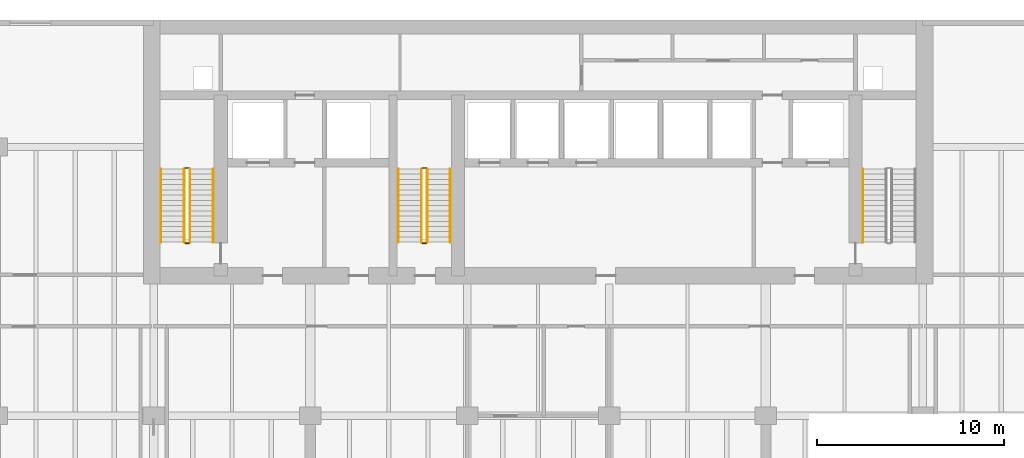
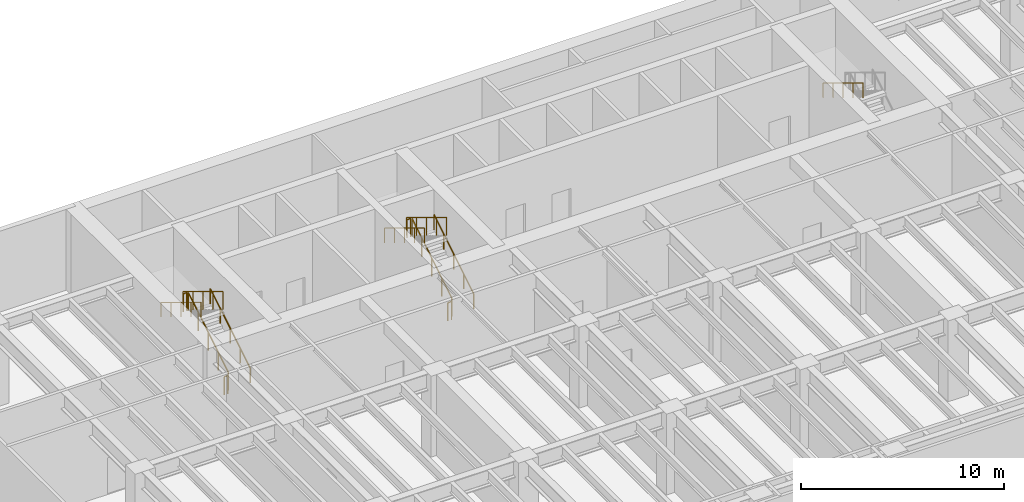
# One storey, part 19 of 21: 13 railings.
"""IFC4 building model written with IfcOpenShell, lengths in metres."""

from ifc_helpers import new_model, si_unit, direction, frame, origin, origin_2d, place, context, subcontext, project, spatial, circle, extrude, material, type_object, element, save


model = new_model("IFC4")

# Units and contexts
model_context = context("Model", 3, precision=1e-05, world=origin(), true_north=direction((0.0, 1.0)))
body_context = subcontext(model_context, "Body", "Model", "MODEL_VIEW")
ifc_project = project(units=[si_unit("LENGTHUNIT", "METRE"), si_unit("AREAUNIT", "SQUARE_METRE"), si_unit("VOLUMEUNIT", "CUBIC_METRE"), si_unit("PLANEANGLEUNIT", "RADIAN"), si_unit("MASSUNIT", "GRAM", prefix="KILO")], contexts=[model_context])

# Site, building, storey
site_placement = place(None, origin())
site = spatial("IfcSite", under=ifc_project, at=site_placement, CompositionType="ELEMENT")
building_placement = place(site_placement, origin())
building = spatial("IfcBuilding", under=site, at=building_placement, Name="Caelmar Bay Residences", CompositionType="ELEMENT")
storey_placement = place(building_placement, frame((0.0, 0.0, 79.5)))
storey = spatial("IfcBuildingStorey", under=building, at=storey_placement, Name="L21", CompositionType="ELEMENT", Elevation=79.5)

# Railings
ifc_material_1 = material(Name="Painted galvanized steel stair guard 1100 mm", Category="steel")
railing_type_1 = type_object("IfcRailingType", Name="RL-GRD-1100", PredefinedType="GUARDRAIL", material=ifc_material_1)
railing_1_placement = place(storey_placement, frame((20.25, 38.699951171875, 0.169921875)))
element("IfcRailing", 1, at=railing_1_placement, inside=storey, type_object=railing_type_1, Name="L21 ST1 stair guard 1", PredefinedType="GUARDRAIL", context=body_context, shape_type="SweptSolid", body=[
    extrude(circle(Radius=0.02392578125, at=origin_2d()), frame((0.0, 0.0, 1.076171875), z_axis=(0.0, 0.854784984964, 0.518982301701), x_axis=(-1.0, 0.0, 0.0)), (0.0, 0.0, 1.0), 4.586181640625),
    extrude(circle(Radius=0.02099609375, at=origin_2d()), origin(), (0.0, 0.0, 1.0), 1.052001953125),
    extrude(circle(Radius=0.02099609375, at=origin_2d()), frame((0.0, 0.97998046875, 0.594970703125)), (0.0, 0.0, 1.0), 1.052001953125),
    extrude(circle(Radius=0.02099609375, at=origin_2d()), frame((0.0, 1.9599609375, 1.18994140625)), (0.0, 0.0, 1.0), 1.052001953125),
    extrude(circle(Radius=0.02099609375, at=origin_2d()), frame((0.0, 2.940185546875, 1.78515625)), (0.0, 0.0, 1.0), 1.052001953125),
    extrude(circle(Radius=0.02099609375, at=origin_2d()), frame((0.0, 3.920166015625, 2.380126953125)), (0.0, 0.0, 1.0), 1.052001953125),
])
railing_2_placement = place(storey_placement, frame((20.199951171875, 42.669921875, 2.550048828125)))
element("IfcRailing", 2, at=railing_2_placement, inside=storey, type_object=railing_type_1, Name="L21 ST1 stair guard 2", PredefinedType="GUARDRAIL", context=body_context, shape_type="SweptSolid", body=[
    extrude(circle(Radius=0.02392578125, at=origin_2d()), frame((0.0, 0.0, 1.076171875), z_axis=(-1.0, 0.0, 0.0), x_axis=(0.0, -1.0, 0.0)), (0.0, 0.0, 1.0), 0.199951171875),
    extrude(circle(Radius=0.02099609375, at=origin_2d()), origin(), (0.0, 0.0, 1.0), 1.052001953125),
    extrude(circle(Radius=0.02099609375, at=origin_2d()), frame((-0.199951171875, 0.0, 0.0)), (0.0, 0.0, 1.0), 1.052001953125),
])
railing_3_placement = place(storey_placement, frame((19.949951171875, 42.6201171875, 2.719970703125)))
element("IfcRailing", 3, at=railing_3_placement, inside=storey, type_object=railing_type_1, Name="L21 ST1 stair guard 3", PredefinedType="GUARDRAIL", context=body_context, shape_type="SweptSolid", body=[
    extrude(circle(Radius=0.02392578125, at=origin_2d()), frame((0.0, 0.0, 1.076171875), z_axis=(0.0, -0.854784984964, 0.518982301701), x_axis=(1.0, 0.0, 0.0)), (0.0, 0.0, 1.0), 4.586181640625),
    extrude(circle(Radius=0.02099609375, at=origin_2d()), origin(), (0.0, 0.0, 1.0), 1.052001953125),
    extrude(circle(Radius=0.02099609375, at=origin_2d()), frame((0.0, -0.97998046875, 0.594970703125)), (0.0, 0.0, 1.0), 1.052001953125),
    extrude(circle(Radius=0.02099609375, at=origin_2d()), frame((0.0, -1.9599609375, 1.18994140625)), (0.0, 0.0, 1.0), 1.052001953125),
    extrude(circle(Radius=0.02099609375, at=origin_2d()), frame((0.0, -2.940185546875, 1.78515625)), (0.0, 0.0, 1.0), 1.052001953125),
    extrude(circle(Radius=0.02099609375, at=origin_2d()), frame((0.0, -3.920166015625, 2.380126953125)), (0.0, 0.0, 1.0), 1.052001953125),
])
railing_4_placement = place(storey_placement, frame((20.199951171875, 38.64990234375, 0.0)))
element("IfcRailing", 4, at=railing_4_placement, inside=storey, type_object=railing_type_1, Name="L21 ST1 stair guard 4", PredefinedType="GUARDRAIL", context=body_context, shape_type="SweptSolid", body=[
    extrude(circle(Radius=0.02392578125, at=origin_2d()), frame((0.0, 0.0, 1.076171875), z_axis=(-1.0, 0.0, 0.0), x_axis=(0.0, -1.0, 0.0)), (0.0, 0.0, 1.0), 0.199951171875),
    extrude(circle(Radius=0.02099609375, at=origin_2d()), origin(), (0.0, 0.0, 1.0), 1.052001953125),
    extrude(circle(Radius=0.02099609375, at=origin_2d()), frame((-0.199951171875, 0.0, 0.0)), (0.0, 0.0, 1.0), 1.052001953125),
])
railing_5_placement = place(storey_placement, frame((32.949951171875, 38.699951171875, 0.169921875)))
element("IfcRailing", 5, at=railing_5_placement, inside=storey, type_object=railing_type_1, Name="L21 ST3 stair guard 1", PredefinedType="GUARDRAIL", context=body_context, shape_type="SweptSolid", body=[
    extrude(circle(Radius=0.02392578125, at=origin_2d()), frame((0.0, 0.0, 1.076171875), z_axis=(0.0, 0.854784984964, 0.518982301701), x_axis=(-1.0, 0.0, 0.0)), (0.0, 0.0, 1.0), 4.586181640625),
    extrude(circle(Radius=0.02099609375, at=origin_2d()), origin(), (0.0, 0.0, 1.0), 1.052001953125),
    extrude(circle(Radius=0.02099609375, at=origin_2d()), frame((0.0, 0.97998046875, 0.594970703125)), (0.0, 0.0, 1.0), 1.052001953125),
    extrude(circle(Radius=0.02099609375, at=origin_2d()), frame((0.0, 1.9599609375, 1.18994140625)), (0.0, 0.0, 1.0), 1.052001953125),
    extrude(circle(Radius=0.02099609375, at=origin_2d()), frame((0.0, 2.940185546875, 1.78515625)), (0.0, 0.0, 1.0), 1.052001953125),
    extrude(circle(Radius=0.02099609375, at=origin_2d()), frame((0.0, 3.920166015625, 2.380126953125)), (0.0, 0.0, 1.0), 1.052001953125),
])
railing_6_placement = place(storey_placement, frame((32.89990234375, 42.669921875, 2.550048828125)))
element("IfcRailing", 6, at=railing_6_placement, inside=storey, type_object=railing_type_1, Name="L21 ST3 stair guard 2", PredefinedType="GUARDRAIL", context=body_context, shape_type="SweptSolid", body=[
    extrude(circle(Radius=0.02392578125, at=origin_2d()), frame((0.0, 0.0, 1.076171875), z_axis=(-1.0, 0.0, 0.0), x_axis=(0.0, -1.0, 0.0)), (0.0, 0.0, 1.0), 0.199951171875),
    extrude(circle(Radius=0.02099609375, at=origin_2d()), origin(), (0.0, 0.0, 1.0), 1.052001953125),
    extrude(circle(Radius=0.02099609375, at=origin_2d()), frame((-0.199951171875, 0.0, 0.0)), (0.0, 0.0, 1.0), 1.052001953125),
])
railing_7_placement = place(storey_placement, frame((32.64990234375, 42.6201171875, 2.719970703125)))
element("IfcRailing", 7, at=railing_7_placement, inside=storey, type_object=railing_type_1, Name="L21 ST3 stair guard 3", PredefinedType="GUARDRAIL", context=body_context, shape_type="SweptSolid", body=[
    extrude(circle(Radius=0.02392578125, at=origin_2d()), frame((0.0, 0.0, 1.076171875), z_axis=(0.0, -0.854784984964, 0.518982301701), x_axis=(1.0, 0.0, 0.0)), (0.0, 0.0, 1.0), 4.586181640625),
    extrude(circle(Radius=0.02099609375, at=origin_2d()), origin(), (0.0, 0.0, 1.0), 1.052001953125),
    extrude(circle(Radius=0.02099609375, at=origin_2d()), frame((0.0, -0.97998046875, 0.594970703125)), (0.0, 0.0, 1.0), 1.052001953125),
    extrude(circle(Radius=0.02099609375, at=origin_2d()), frame((0.0, -1.9599609375, 1.18994140625)), (0.0, 0.0, 1.0), 1.052001953125),
    extrude(circle(Radius=0.02099609375, at=origin_2d()), frame((0.0, -2.940185546875, 1.78515625)), (0.0, 0.0, 1.0), 1.052001953125),
    extrude(circle(Radius=0.02099609375, at=origin_2d()), frame((0.0, -3.920166015625, 2.380126953125)), (0.0, 0.0, 1.0), 1.052001953125),
])
railing_8_placement = place(storey_placement, frame((32.89990234375, 38.64990234375, 0.0)))
element("IfcRailing", 8, at=railing_8_placement, inside=storey, type_object=railing_type_1, Name="L21 ST3 stair guard 4", PredefinedType="GUARDRAIL", context=body_context, shape_type="SweptSolid", body=[
    extrude(circle(Radius=0.02392578125, at=origin_2d()), frame((0.0, 0.0, 1.076171875), z_axis=(-1.0, 0.0, 0.0), x_axis=(0.0, -1.0, 0.0)), (0.0, 0.0, 1.0), 0.199951171875),
    extrude(circle(Radius=0.02099609375, at=origin_2d()), origin(), (0.0, 0.0, 1.0), 1.052001953125),
    extrude(circle(Radius=0.02099609375, at=origin_2d()), frame((-0.199951171875, 0.0, 0.0)), (0.0, 0.0, 1.0), 1.052001953125),
])
ifc_material_2 = material(Name="Brushed bronze stainless-steel tubular handrail 900 mm", Category="steel")
railing_type_2 = type_object("IfcRailingType", Name="RL-HND-900", PredefinedType="HANDRAIL", material=ifc_material_2)
railing_9_placement = place(storey_placement, frame((21.5, 38.699951171875, 0.169921875)))
element("IfcRailing", 9, at=railing_9_placement, inside=storey, type_object=railing_type_2, Name="L21 ST1 stair handrail 1", PredefinedType="HANDRAIL", context=body_context, shape_type="SweptSolid", body=[
    extrude(circle(Radius=0.02392578125, at=origin_2d()), frame((0.0, 0.0, 0.8759765625), z_axis=(0.0, 0.854784984964, 0.518982301701), x_axis=(-1.0, 0.0, 0.0)), (0.0, 0.0, 1.0), 4.586181640625),
    extrude(circle(Radius=0.02099609375, at=origin_2d()), origin(), (0.0, 0.0, 1.0), 0.851806640625),
    extrude(circle(Radius=0.02099609375, at=origin_2d()), frame((0.0, 0.97998046875, 0.594970703125)), (0.0, 0.0, 1.0), 0.851806640625),
    extrude(circle(Radius=0.02099609375, at=origin_2d()), frame((0.0, 1.9599609375, 1.18994140625)), (0.0, 0.0, 1.0), 0.851806640625),
    extrude(circle(Radius=0.02099609375, at=origin_2d()), frame((0.0, 2.940185546875, 1.78515625)), (0.0, 0.0, 1.0), 0.851806640625),
    extrude(circle(Radius=0.02099609375, at=origin_2d()), frame((0.0, 3.920166015625, 2.380126953125)), (0.0, 0.0, 1.0), 0.851806640625),
])
for number, where, name in (
    (10, (18.699951171875, 42.6201171875, 2.719970703125), "L21 ST1 stair handrail 2"),
    (11, (56.300048828125, 42.6201171875, 2.719970703125), "L21 ST2 stair handrail 2"),
):
    element("IfcRailing", number, at=place(storey_placement, frame(where)), inside=storey, type_object=railing_type_2, Name=name, PredefinedType="HANDRAIL", context=body_context, shape_type="SweptSolid", body=[
        extrude(circle(Radius=0.02392578125, at=origin_2d()), frame((0.0, 0.0, 0.8759765625), z_axis=(0.0, -0.854784984964, 0.518982301701), x_axis=(1.0, 0.0, 0.0)), (0.0, 0.0, 1.0), 4.586181640625),
        extrude(circle(Radius=0.02099609375, at=origin_2d()), origin(), (0.0, 0.0, 1.0), 0.851806640625),
        extrude(circle(Radius=0.02099609375, at=origin_2d()), frame((0.0, -0.97998046875, 0.594970703125)), (0.0, 0.0, 1.0), 0.851806640625),
        extrude(circle(Radius=0.02099609375, at=origin_2d()), frame((0.0, -1.9599609375, 1.18994140625)), (0.0, 0.0, 1.0), 0.851806640625),
        extrude(circle(Radius=0.02099609375, at=origin_2d()), frame((0.0, -2.940185546875, 1.78515625)), (0.0, 0.0, 1.0), 0.851806640625),
        extrude(circle(Radius=0.02099609375, at=origin_2d()), frame((0.0, -3.920166015625, 2.380126953125)), (0.0, 0.0, 1.0), 0.851806640625),
    ])
railing_10_placement = place(storey_placement, frame((34.199951171875, 38.699951171875, 0.169921875)))
element("IfcRailing", 12, at=railing_10_placement, inside=storey, type_object=railing_type_2, Name="L21 ST3 stair handrail 1", PredefinedType="HANDRAIL", context=body_context, shape_type="SweptSolid", body=[
    extrude(circle(Radius=0.02392578125, at=origin_2d()), frame((0.0, 0.0, 0.8759765625), z_axis=(0.0, 0.854784984964, 0.518982301701), x_axis=(-1.0, 0.0, 0.0)), (0.0, 0.0, 1.0), 4.586181640625),
    extrude(circle(Radius=0.02099609375, at=origin_2d()), origin(), (0.0, 0.0, 1.0), 0.851806640625),
    extrude(circle(Radius=0.02099609375, at=origin_2d()), frame((0.0, 0.97998046875, 0.594970703125)), (0.0, 0.0, 1.0), 0.851806640625),
    extrude(circle(Radius=0.02099609375, at=origin_2d()), frame((0.0, 1.9599609375, 1.18994140625)), (0.0, 0.0, 1.0), 0.851806640625),
    extrude(circle(Radius=0.02099609375, at=origin_2d()), frame((0.0, 2.940185546875, 1.78515625)), (0.0, 0.0, 1.0), 0.851806640625),
    extrude(circle(Radius=0.02099609375, at=origin_2d()), frame((0.0, 3.920166015625, 2.380126953125)), (0.0, 0.0, 1.0), 0.851806640625),
])
railing_11_placement = place(storey_placement, frame((31.39990234375, 42.6201171875, 2.719970703125)))
element("IfcRailing", 13, at=railing_11_placement, inside=storey, type_object=railing_type_2, Name="L21 ST3 stair handrail 2", PredefinedType="HANDRAIL", context=body_context, shape_type="SweptSolid", body=[
    extrude(circle(Radius=0.02392578125, at=origin_2d()), frame((0.0, 0.0, 0.8759765625), z_axis=(0.0, -0.854784984964, 0.518982301701), x_axis=(1.0, 0.0, 0.0)), (0.0, 0.0, 1.0), 4.586181640625),
    extrude(circle(Radius=0.02099609375, at=origin_2d()), origin(), (0.0, 0.0, 1.0), 0.851806640625),
    extrude(circle(Radius=0.02099609375, at=origin_2d()), frame((0.0, -0.97998046875, 0.594970703125)), (0.0, 0.0, 1.0), 0.851806640625),
    extrude(circle(Radius=0.02099609375, at=origin_2d()), frame((0.0, -1.9599609375, 1.18994140625)), (0.0, 0.0, 1.0), 0.851806640625),
    extrude(circle(Radius=0.02099609375, at=origin_2d()), frame((0.0, -2.940185546875, 1.78515625)), (0.0, 0.0, 1.0), 0.851806640625),
    extrude(circle(Radius=0.02099609375, at=origin_2d()), frame((0.0, -3.920166015625, 2.380126953125)), (0.0, 0.0, 1.0), 0.851806640625),
])

save(model, "model.ifc")
